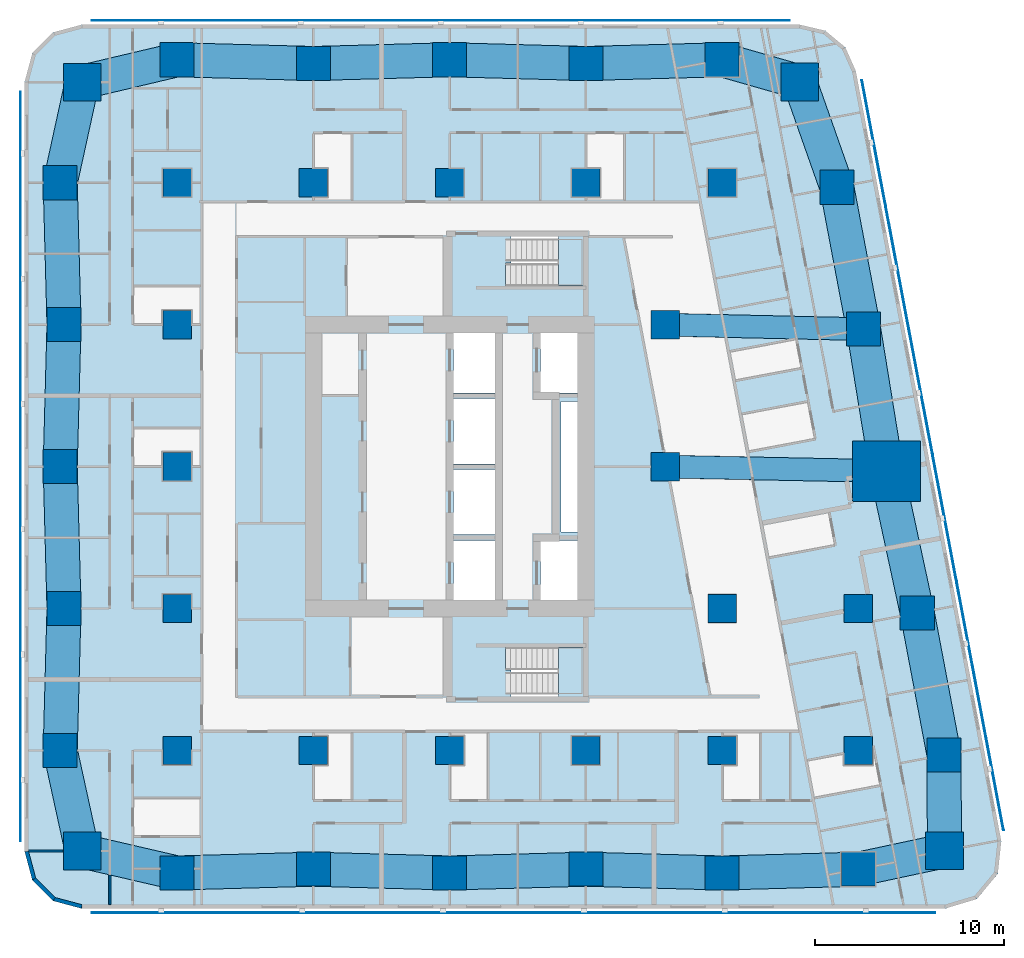
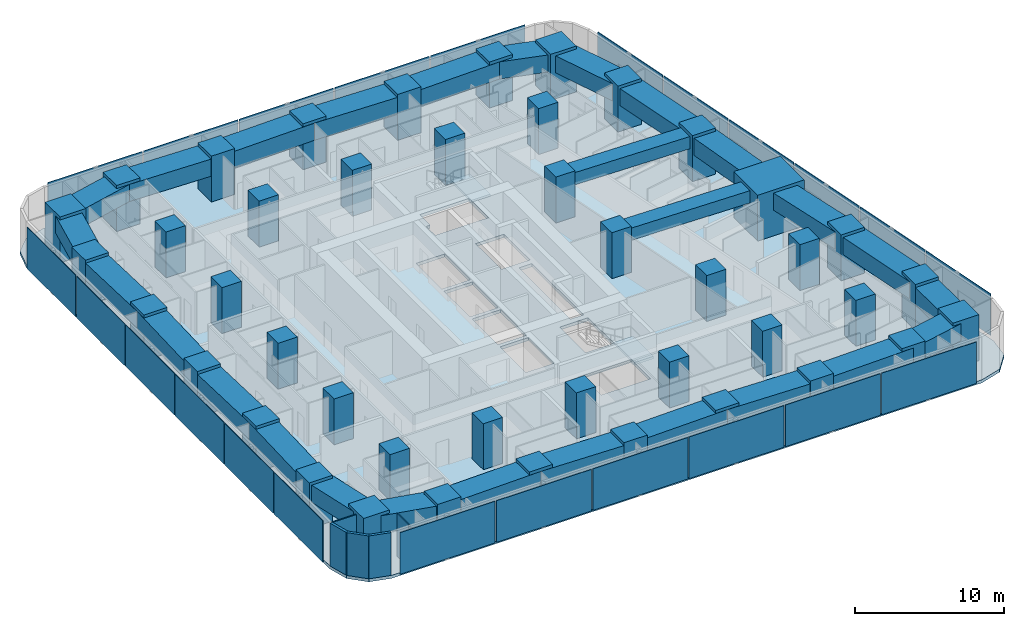
# One storey, part 1 of 15: 43 columns, 27 beams, 23 plates, 5 walls, 3 slabs, 2 elements without a shape of their own.
"""IFC4 building model written with IfcOpenShell, lengths in metres."""

from ifc_helpers import new_model, si_unit, direction, frame, frame_2d, origin, origin_2d, place, context, subcontext, project, spatial, polyline, rectangle, outline, extrude, material, layer, layer_set, material_profile, profile_set, type_object, element, aggregate, save


model = new_model("IFC4")

# Units and contexts
model_context = context("Model", 3, precision=1e-05, world=origin(), true_north=direction((0.0, 1.0)))
body_context = subcontext(model_context, "Body", "Model", "MODEL_VIEW")
ifc_project = project(units=[si_unit("LENGTHUNIT", "METRE"), si_unit("AREAUNIT", "SQUARE_METRE"), si_unit("VOLUMEUNIT", "CUBIC_METRE"), si_unit("PLANEANGLEUNIT", "RADIAN"), si_unit("MASSUNIT", "GRAM", prefix="KILO")], contexts=[model_context])

# Site, building, storey
site_placement = place(None, origin())
site = spatial("IfcSite", under=ifc_project, at=site_placement, CompositionType="ELEMENT")
building_placement = place(site_placement, origin())
building = spatial("IfcBuilding", under=site, at=building_placement, Name="Sheger Commons Tower", CompositionType="ELEMENT")
storey_placement = place(building_placement, frame((0.0, 0.0, 165.800048828125)))
storey = spatial("IfcBuildingStorey", under=building, at=storey_placement, Name="L42", CompositionType="ELEMENT", Elevation=165.800048828125)

# Columns
ifc_material_1 = material(Name="Concrete C50/60", Category="concrete")
ifc_material_profile_1 = material_profile(ifc_material_1, rectangle(XDim=3.60009765625, YDim=3.199951171875, at=origin_2d()), Name="RC 3600x3200")
ifc_profile_set_1 = profile_set([ifc_material_profile_1], Name="Concrete C50/60")
column_type_1 = type_object("IfcColumnType", Name="COLUMN PIER RC 3600x3200", PredefinedType="COLUMN", material=ifc_profile_set_1)
column_placement = place(storey_placement, frame((44.697021484375, 22.262939453125, 0.0), z_axis=(0.0, 0.0, 1.0), x_axis=(1.0, 0.0, 0.0)))
element("IfcColumn", 1, at=column_placement, inside=storey, type_object=column_type_1, Name="Pier 7/D+E/D L42", PredefinedType="COLUMN", context=body_context, shape_type="SweptSolid", body=[
    extrude(rectangle(XDim=3.60009765625, YDim=3.199951171875, at=origin_2d()), origin(), (0.0, 0.0, 1.0), 3.75),
])
ifc_material_2 = material(Name="Concrete C50/60", Category="concrete")
ifc_material_profile_2 = material_profile(ifc_material_2, rectangle(XDim=1.5, YDim=1.5, at=origin_2d()), Name="RC 1500x1500")
ifc_profile_set_2 = profile_set([ifc_material_profile_2], Name="Concrete C50/60")
column_type_2 = type_object("IfcColumnType", Name="COLUMN RC 1500x1500", PredefinedType="COLUMN", material=ifc_profile_set_2)
for number, where, z_axis, x_axis, name in (
    (2, (7.199951171875, 7.5, 0.0), (0.0, 0.0, 1.0), (1.0, 0.0, 0.0), "Column 2/B L42"),
    (3, (14.39990234375, 7.5, 0.0), (0.0, 0.0, 1.0), (1.0, 0.0, 0.0), "Column 3/B L42"),
    (4, (21.60009765625, 7.5, 0.0), (0.0, 0.0, 1.0), (1.0, 0.0, 0.0), "Column 4/B L42"),
    (5, (28.800048828125, 7.5, 0.0), (0.0, 0.0, 1.0), (1.0, 0.0, 0.0), "Column 5/B L42"),
    (6, (36.0, 7.5, 0.0), (0.0, 0.0, 1.0), (1.0, 0.0, 0.0), "Column 6/B L42"),
    (7, (43.199951171875, 7.5, 0.0), (0.0, 0.0, 1.0), (1.0, 0.0, 0.0), "Column 7/B L42"),
    (8, (7.199951171875, 15.0, 0.0), (0.0, 0.0, 1.0), (1.0, 0.0, 0.0), "Column 2/C L42"),
    (9, (36.0, 15.0, 0.0), (0.0, 0.0, 1.0), (1.0, 0.0, 0.0), "Column 6/C L42"),
    (10, (43.199951171875, 15.0, 0.0), (0.0, 0.0, 1.0), (1.0, 0.0, 0.0), "Column 7/C L42"),
    (11, (7.199951171875, 22.5, 0.0), (0.0, 0.0, 1.0), (1.0, 0.0, 0.0), "Column 2/D L42"),
    (12, (33.0, 22.5, 0.0), (0.0, 0.0, 1.0), (1.0, 0.0, 0.0), "Column 6-3000/D L42"),
    (13, (7.199951171875, 30.0, 0.0), (0.0, 0.0, 1.0), (1.0, 0.0, 0.0), "Column 2/E L42"),
    (14, (33.0, 30.0, 0.0), (0.0, 0.0, 1.0), (1.0, 0.0, 0.0), "Column 6-3000/E L42"),
    (15, (7.199951171875, 37.5, 0.0), (0.0, 0.0, 1.0), (1.0, 0.0, 0.0), "Column 2/F L42"),
    (16, (14.39990234375, 37.5, 0.0), (0.0, 0.0, 1.0), (1.0, 0.0, 0.0), "Column 3/F L42"),
    (17, (21.60009765625, 37.5, 0.0), (0.0, 0.0, 1.0), (1.0, 0.0, 0.0), "Column 4/F L42"),
    (18, (28.800048828125, 37.5, 0.0), (0.0, 0.0, 1.0), (1.0, 0.0, 0.0), "Column 5/F L42"),
    (19, (36.0, 37.5, 0.0), (0.0, 0.0, 1.0), (1.0, 0.0, 0.0), "Column 6/F L42"),
):
    element("IfcColumn", number, at=place(storey_placement, frame(where, z_axis=z_axis, x_axis=x_axis)), inside=storey, type_object=column_type_2, Name=name, PredefinedType="COLUMN", context=body_context, shape_type="SweptSolid", body=[
        extrude(rectangle(XDim=1.5, YDim=1.5, at=origin_2d()), origin(), (0.0, 0.0, 1.0), 3.75),
    ])
ifc_material_3 = material(Name="Concrete C50/60", Category="concrete")
ifc_material_profile_3 = material_profile(ifc_material_3, rectangle(XDim=1.800048828125, YDim=1.800048828125, at=origin_2d()), Name="RC 1800x1800")
ifc_profile_set_3 = profile_set([ifc_material_profile_3], Name="Concrete C50/60")
column_type_3 = type_object("IfcColumnType", Name="COLUMN RC 1800x1800", PredefinedType="COLUMN", material=ifc_profile_set_3)
for number, where, z_axis, x_axis, name in (
    (20, (7.199951171875, 1.02490234375, 0.0), (0.0, 0.0, 1.0), (1.0, 0.0, 0.0), "Column 2/A L42"),
    (21, (14.39990234375, 1.22509765625, 0.0), (0.0, 0.0, 1.0), (1.0, 0.0, 0.0), "Column 3/A L42"),
    (22, (21.60009765625, 1.02490234375, 0.0), (0.0, 0.0, 1.0), (1.0, 0.0, 0.0), "Column 4/A L42"),
    (23, (28.800048828125, 1.22509765625, 0.0), (0.0, 0.0, 1.0), (1.0, 0.0, 0.0), "Column 5/A L42"),
    (24, (36.0, 1.02490234375, 0.0), (0.0, 0.0, 1.0), (1.0, 0.0, 0.0), "Column 6/A L42"),
    (25, (43.199951171875, 1.22509765625, 0.0), (0.0, 0.0, 1.0), (1.0, 0.0, 0.0), "Column 7/A L42"),
    (26, (1.02490234375, 7.5, 0.0), (0.0, 0.0, 1.0), (1.0, 0.0, 0.0), "Column 1/B L42"),
    (27, (47.72998046875, 7.262939453125, 0.0), (0.0, 0.0, 1.0), (1.0, 0.0, 0.0), "Column E/B L42"),
    (28, (1.22509765625, 15.0, 0.0), (0.0, 0.0, 1.0), (1.0, 0.0, 0.0), "Column 1/C L42"),
    (29, (46.31396484375, 14.762939453125, 0.0), (0.0, 0.0, 1.0), (1.0, 0.0, 0.0), "Column E/C L42"),
    (30, (1.02490234375, 22.5, 0.0), (0.0, 0.0, 1.0), (1.0, 0.0, 0.0), "Column 1/D L42"),
    (31, (1.22509765625, 30.0, 0.0), (0.0, 0.0, 1.0), (1.0, 0.0, 0.0), "Column 1/E L42"),
    (32, (43.47998046875, 29.762939453125, 0.0), (0.0, 0.0, 1.0), (1.0, 0.0, 0.0), "Column E/E L42"),
    (33, (1.02490234375, 37.5, 0.0), (0.0, 0.0, 1.0), (1.0, 0.0, 0.0), "Column 1/F L42"),
    (34, (42.06396484375, 37.262939453125, 0.0), (0.0, 0.0, 1.0), (1.0, 0.0, 0.0), "Column E/F L42"),
    (35, (7.199951171875, 44.0, 0.0), (0.0, 0.0, 1.0), (1.0, 0.0, 0.0), "Column 2/G L42"),
    (36, (14.39990234375, 43.800048828125, 0.0), (0.0, 0.0, 1.0), (1.0, 0.0, 0.0), "Column 3/G L42"),
    (37, (21.60009765625, 44.0, 0.0), (0.0, 0.0, 1.0), (1.0, 0.0, 0.0), "Column 4/G L42"),
    (38, (28.800048828125, 43.800048828125, 0.0), (0.0, 0.0, 1.0), (1.0, 0.0, 0.0), "Column 5/G L42"),
    (39, (36.0, 44.0, 0.0), (0.0, 0.0, 1.0), (1.0, 0.0, 0.0), "Column 6/G L42"),
):
    element("IfcColumn", number, at=place(storey_placement, frame(where, z_axis=z_axis, x_axis=x_axis)), inside=storey, type_object=column_type_3, Name=name, PredefinedType="COLUMN", context=body_context, shape_type="SweptSolid", body=[
        extrude(rectangle(XDim=1.800048828125, YDim=1.800048828125, at=origin_2d()), origin(), (0.0, 0.0, 1.0), 3.75),
    ])
ifc_material_4 = material(Name="Concrete C50/60", Category="concrete")
ifc_material_profile_4 = material_profile(ifc_material_4, rectangle(XDim=2.0, YDim=2.0, at=origin_2d()), Name="RC 2000x2000")
ifc_profile_set_4 = profile_set([ifc_material_profile_4], Name="Concrete C50/60")
column_type_4 = type_object("IfcColumnType", Name="COLUMN RC 2000x2000", PredefinedType="COLUMN", material=ifc_profile_set_4)
for number, where, z_axis, x_axis, name in (
    (40, (2.18603515625, 2.18603515625, 0.0), (0.0, 0.0, 1.0), (1.0, 0.0, 0.0), "Column 0.630,0.630 L42"),
    (41, (47.748046875, 2.197021484375, 0.0), (0.0, 0.0, 1.0), (1.0, 0.0, 0.0), "Column 49.461,0.778 L42"),
    (42, (2.18603515625, 42.81396484375, 0.0), (0.0, 0.0, 1.0), (1.0, 0.0, 0.0), "Column 0.630,44.370 L42"),
    (43, (40.10205078125, 42.830078125, 0.0), (0.0, 0.0, 1.0), (1.0, 0.0, 0.0), "Column 41.490,44.505 L42"),
):
    element("IfcColumn", number, at=place(storey_placement, frame(where, z_axis=z_axis, x_axis=x_axis)), inside=storey, type_object=column_type_4, Name=name, PredefinedType="COLUMN", context=body_context, shape_type="SweptSolid", body=[
        extrude(rectangle(XDim=2.0, YDim=2.0, at=origin_2d()), origin(), (0.0, 0.0, 1.0), 3.75),
    ])

# Beams
ifc_material_5 = material(Name="Concrete C50/60", Category="concrete")
ifc_material_profile_5 = material_profile(ifc_material_5, rectangle(XDim=1.199951171875, YDim=1.0, at=origin_2d()), Name="RC 1200x1000")
ifc_profile_set_5 = profile_set([ifc_material_profile_5], Name="Concrete C50/60")
beam_type_1 = type_object("IfcBeamType", Name="BEAM RC 1200x1000", PredefinedType="BEAM", material=ifc_profile_set_5)
beam_1_placement = place(storey_placement, frame((33.0, 22.5, 3.0), z_axis=(0.999794692776, -0.02026258368, 0.0), x_axis=(0.02026258368, 0.999794692776, 0.0)))
element("IfcBeam", 44, at=beam_1_placement, inside=storey, type_object=beam_type_1, Name="Beam 6-3000/D-7/D under L43", PredefinedType="BEAM", context=body_context, shape_type="SweptSolid", body=[
    extrude(rectangle(XDim=1.199951171875, YDim=1.0, at=origin_2d()), origin(), (0.0, 0.0, 1.0), 11.699462890625),
])
beam_2_placement = place(storey_placement, frame((33.0, 30.0, 3.0), z_axis=(0.999744258625, -0.022614538395, 0.0), x_axis=(0.022614538395, 0.999744258625, 0.0)))
element("IfcBeam", 45, at=beam_2_placement, inside=storey, type_object=beam_type_1, Name="Beam 6-3000/E-E/E under L43", PredefinedType="BEAM", context=body_context, shape_type="SweptSolid", body=[
    extrude(rectangle(XDim=1.199951171875, YDim=1.0, at=origin_2d()), origin(), (0.0, 0.0, 1.0), 10.482666015625),
])
ifc_material_6 = material(Name="Concrete C50/60", Category="concrete")
ifc_material_profile_6 = material_profile(ifc_material_6, rectangle(XDim=1.800048828125, YDim=1.39990234375, at=origin_2d()), Name="RC 1800x1400")
ifc_profile_set_6 = profile_set([ifc_material_profile_6], Name="Concrete C50/60")
beam_type_2 = type_object("IfcBeamType", Name="SPANDREL RC 1800x1400", PredefinedType="SPANDREL", material=ifc_profile_set_6)
beam_3_placement = place(storey_placement, frame((2.18603515625, 2.18603515625, 2.800048828125), z_axis=(0.974217413499, -0.225611239159, 0.0), x_axis=(0.225611239159, 0.974217413499, 0.0)))
element("IfcBeam", 46, at=beam_3_placement, inside=storey, type_object=beam_type_2, Name="Beam 0.630,0.630-2/A under L43", PredefinedType="SPANDREL", context=body_context, shape_type="SweptSolid", body=[
    extrude(rectangle(XDim=1.800048828125, YDim=1.39990234375, at=origin_2d()), origin(), (0.0, 0.0, 1.0), 5.146728515625),
])
beam_4_placement = place(storey_placement, frame((7.199951171875, 1.02490234375, 2.800048828125), z_axis=(0.9996136624, 0.027794350926, 0.0), x_axis=(-0.027794350926, 0.9996136624, 0.0)))
element("IfcBeam", 47, at=beam_4_placement, inside=storey, type_object=beam_type_2, Name="Beam 2/A-3/A under L43", PredefinedType="SPANDREL", context=body_context, shape_type="SweptSolid", body=[
    extrude(rectangle(XDim=1.800048828125, YDim=1.39990234375, at=origin_2d()), origin(), (0.0, 0.0, 1.0), 7.20263671875),
])
beam_5_placement = place(storey_placement, frame((14.39990234375, 1.22509765625, 2.800048828125), z_axis=(0.999613688584, -0.027793409217, 0.0), x_axis=(0.027793409217, 0.999613688584, 0.0)))
element("IfcBeam", 48, at=beam_5_placement, inside=storey, type_object=beam_type_2, Name="Beam 3/A-4/A under L43", PredefinedType="SPANDREL", context=body_context, shape_type="SweptSolid", body=[
    extrude(rectangle(XDim=1.800048828125, YDim=1.39990234375, at=origin_2d()), origin(), (0.0, 0.0, 1.0), 7.202880859375),
])
for number, where, z_axis, x_axis, name in (
    (49, (21.60009765625, 1.02490234375, 2.800048828125), (0.9996136624, 0.027794350926, 0.0), (-0.027794350926, 0.9996136624, 0.0), "Beam 4/A-5/A under L43"),
    (50, (28.800048828125, 1.22509765625, 2.800048828125), (0.9996136624, -0.027794350926, 0.0), (0.027794350926, 0.9996136624, 0.0), "Beam 5/A-6/A under L43"),
    (51, (36.0, 1.02490234375, 2.800048828125), (0.9996136624, 0.027794350926, 0.0), (-0.027794350926, 0.9996136624, 0.0), "Beam 6/A-7/A under L43"),
):
    element("IfcBeam", number, at=place(storey_placement, frame(where, z_axis=z_axis, x_axis=x_axis)), inside=storey, type_object=beam_type_2, Name=name, PredefinedType="SPANDREL", context=body_context, shape_type="SweptSolid", body=[
        extrude(rectangle(XDim=1.800048828125, YDim=1.39990234375, at=origin_2d()), origin(), (0.0, 0.0, 1.0), 7.20263671875),
    ])
beam_6_placement = place(storey_placement, frame((43.199951171875, 1.22509765625, 2.800048828125), z_axis=(0.977919796671, 0.208980552394, 0.0), x_axis=(-0.208980552394, 0.977919796671, 0.0)))
element("IfcBeam", 52, at=beam_6_placement, inside=storey, type_object=beam_type_2, Name="Beam 7/A-49.461,0.778 under L43", PredefinedType="SPANDREL", context=body_context, shape_type="SweptSolid", body=[
    extrude(rectangle(XDim=1.800048828125, YDim=1.39990234375, at=origin_2d()), origin(), (0.0, 0.0, 1.0), 4.65087890625),
])
beam_7_placement = place(storey_placement, frame((47.748046875, 2.197021484375, 2.800048828125), z_axis=(-0.003566242382, 0.999993640937, 0.0), x_axis=(-0.999993640937, -0.003566242382, 0.0)))
element("IfcBeam", 53, at=beam_7_placement, inside=storey, type_object=beam_type_2, Name="Beam 49.461,0.778-E/B under L43", PredefinedType="SPANDREL", context=body_context, shape_type="SweptSolid", body=[
    extrude(rectangle(XDim=1.800048828125, YDim=1.39990234375, at=origin_2d()), origin(), (0.0, 0.0, 1.0), 5.06591796875),
])
beam_8_placement = place(storey_placement, frame((47.72998046875, 7.262939453125, 2.800048828125), z_axis=(-0.18552441405, 0.982639655108, 0.0), x_axis=(-0.982639655108, -0.18552441405, 0.0)))
element("IfcBeam", 54, at=beam_8_placement, inside=storey, type_object=beam_type_2, Name="Beam E/B-E/C under L43", PredefinedType="SPANDREL", context=body_context, shape_type="SweptSolid", body=[
    extrude(rectangle(XDim=1.800048828125, YDim=1.39990234375, at=origin_2d()), origin(), (0.0, 0.0, 1.0), 7.632568359375),
])
beam_9_placement = place(storey_placement, frame((46.31396484375, 14.762939453125, 2.800048828125), z_axis=(-0.210750229323, 0.977539943348, 0.0), x_axis=(-0.977539943348, -0.210750229323, 0.0)))
element("IfcBeam", 55, at=beam_9_placement, inside=storey, type_object=beam_type_2, Name="Beam E/C-E/D under L43", PredefinedType="SPANDREL", context=body_context, shape_type="SweptSolid", body=[
    extrude(rectangle(XDim=1.800048828125, YDim=1.39990234375, at=origin_2d()), origin(), (0.0, 0.0, 1.0), 7.67236328125),
])
beam_10_placement = place(storey_placement, frame((44.697021484375, 22.262939453125, 2.800048828125), z_axis=(-0.160176929512, 0.987088319884, 0.0), x_axis=(-0.987088319884, -0.160176929512, 0.0)))
element("IfcBeam", 56, at=beam_10_placement, inside=storey, type_object=beam_type_2, Name="Beam E/D-E/E under L43", PredefinedType="SPANDREL", context=body_context, shape_type="SweptSolid", body=[
    extrude(rectangle(XDim=1.800048828125, YDim=1.39990234375, at=origin_2d()), origin(), (0.0, 0.0, 1.0), 7.59814453125),
])
beam_11_placement = place(storey_placement, frame((43.47998046875, 29.762939453125, 2.800048828125), z_axis=(-0.18552441405, 0.982639655108, 0.0), x_axis=(-0.982639655108, -0.18552441405, 0.0)))
element("IfcBeam", 57, at=beam_11_placement, inside=storey, type_object=beam_type_2, Name="Beam E/E-E/F under L43", PredefinedType="SPANDREL", context=body_context, shape_type="SweptSolid", body=[
    extrude(rectangle(XDim=1.800048828125, YDim=1.39990234375, at=origin_2d()), origin(), (0.0, 0.0, 1.0), 7.632568359375),
])
beam_12_placement = place(storey_placement, frame((42.06396484375, 37.262939453125, 2.800048828125), z_axis=(-0.332374403357, 0.943147526102, 0.0), x_axis=(-0.943147526102, -0.332374403357, 0.0)))
element("IfcBeam", 58, at=beam_12_placement, inside=storey, type_object=beam_type_2, Name="Beam E/F-41.490,44.505 under L43", PredefinedType="SPANDREL", context=body_context, shape_type="SweptSolid", body=[
    extrude(rectangle(XDim=1.800048828125, YDim=1.39990234375, at=origin_2d()), origin(), (0.0, 0.0, 1.0), 5.90283203125),
])
beam_13_placement = place(storey_placement, frame((40.10205078125, 42.830078125, 2.800048828125), z_axis=(-0.961653428129, 0.274267541221, 0.0), x_axis=(-0.274267541221, -0.961653428129, 0.0)))
element("IfcBeam", 59, at=beam_13_placement, inside=storey, type_object=beam_type_2, Name="Beam 41.490,44.505-6/G under L43", PredefinedType="SPANDREL", context=body_context, shape_type="SweptSolid", body=[
    extrude(rectangle(XDim=1.800048828125, YDim=1.39990234375, at=origin_2d()), origin(), (0.0, 0.0, 1.0), 4.265625),
])
for number, where, z_axis, x_axis, name in (
    (60, (36.0, 44.0, 2.800048828125), (-0.999614603568, -0.027760481514, 0.0), (0.027760481514, -0.999614603568, 0.0), "Beam 6/G-5/G under L43"),
    (61, (28.800048828125, 43.800048828125, 2.800048828125), (-0.999614603568, 0.027760481514, 0.0), (-0.027760481514, -0.999614603568, 0.0), "Beam 5/G-4/G under L43"),
):
    element("IfcBeam", number, at=place(storey_placement, frame(where, z_axis=z_axis, x_axis=x_axis)), inside=storey, type_object=beam_type_2, Name=name, PredefinedType="SPANDREL", context=body_context, shape_type="SweptSolid", body=[
        extrude(rectangle(XDim=1.800048828125, YDim=1.39990234375, at=origin_2d()), origin(), (0.0, 0.0, 1.0), 7.20263671875),
    ])
beam_14_placement = place(storey_placement, frame((21.60009765625, 44.0, 2.800048828125), z_axis=(-0.999614629688, -0.027759540951, 0.0), x_axis=(0.027759540951, -0.999614629688, 0.0)))
element("IfcBeam", 62, at=beam_14_placement, inside=storey, type_object=beam_type_2, Name="Beam 4/G-3/G under L43", PredefinedType="SPANDREL", context=body_context, shape_type="SweptSolid", body=[
    extrude(rectangle(XDim=1.800048828125, YDim=1.39990234375, at=origin_2d()), origin(), (0.0, 0.0, 1.0), 7.202880859375),
])
beam_15_placement = place(storey_placement, frame((14.39990234375, 43.800048828125, 2.800048828125), z_axis=(-0.999614603568, 0.027760481514, 0.0), x_axis=(-0.027760481514, -0.999614603568, 0.0)))
element("IfcBeam", 63, at=beam_15_placement, inside=storey, type_object=beam_type_2, Name="Beam 3/G-2/G under L43", PredefinedType="SPANDREL", context=body_context, shape_type="SweptSolid", body=[
    extrude(rectangle(XDim=1.800048828125, YDim=1.39990234375, at=origin_2d()), origin(), (0.0, 0.0, 1.0), 7.20263671875),
])
beam_16_placement = place(storey_placement, frame((7.199951171875, 44.0, 2.800048828125), z_axis=(-0.97314428949, -0.230195985701, 0.0), x_axis=(0.230195985701, -0.97314428949, 0.0)))
element("IfcBeam", 64, at=beam_16_placement, inside=storey, type_object=beam_type_2, Name="Beam 2/G-0.630,44.370 under L43", PredefinedType="SPANDREL", context=body_context, shape_type="SweptSolid", body=[
    extrude(rectangle(XDim=1.800048828125, YDim=1.39990234375, at=origin_2d()), origin(), (0.0, 0.0, 1.0), 5.15234375),
])
beam_17_placement = place(storey_placement, frame((2.18603515625, 42.81396484375, 2.800048828125), z_axis=(-0.213469314652, -0.976949769283, 0.0), x_axis=(0.976949769283, -0.213469314652, 0.0)))
element("IfcBeam", 65, at=beam_17_placement, inside=storey, type_object=beam_type_2, Name="Beam 0.630,44.370-1/F under L43", PredefinedType="SPANDREL", context=body_context, shape_type="SweptSolid", body=[
    extrude(rectangle(XDim=1.800048828125, YDim=1.39990234375, at=origin_2d()), origin(), (0.0, 0.0, 1.0), 5.439453125),
])
for number, where, z_axis, x_axis, name in (
    (66, (1.02490234375, 37.5, 2.800048828125), (0.026683204125, -0.999643939919, 0.0), (0.999643939919, 0.026683204125, 0.0), "Beam 1/F-1/E under L43"),
    (67, (1.22509765625, 30.0, 2.800048828125), (-0.026683204125, -0.999643939919, 0.0), (0.999643939919, -0.026683204125, 0.0), "Beam 1/E-1/D under L43"),
    (68, (1.02490234375, 22.5, 2.800048828125), (0.026683204125, -0.999643939919, 0.0), (0.999643939919, 0.026683204125, 0.0), "Beam 1/D-1/C under L43"),
    (69, (1.22509765625, 15.0, 2.800048828125), (-0.026683204125, -0.999643939919, 0.0), (0.999643939919, -0.026683204125, 0.0), "Beam 1/C-1/B under L43"),
):
    element("IfcBeam", number, at=place(storey_placement, frame(where, z_axis=z_axis, x_axis=x_axis)), inside=storey, type_object=beam_type_2, Name=name, PredefinedType="SPANDREL", context=body_context, shape_type="SweptSolid", body=[
        extrude(rectangle(XDim=1.800048828125, YDim=1.39990234375, at=origin_2d()), origin(), (0.0, 0.0, 1.0), 7.502685546875),
    ])
beam_18_placement = place(storey_placement, frame((1.02490234375, 7.5, 2.800048828125), z_axis=(0.213469314652, -0.976949769283, 0.0), x_axis=(0.976949769283, 0.213469314652, 0.0)))
element("IfcBeam", 70, at=beam_18_placement, inside=storey, type_object=beam_type_2, Name="Beam 1/B-0.630,0.630 under L43", PredefinedType="SPANDREL", context=body_context, shape_type="SweptSolid", body=[
    extrude(rectangle(XDim=1.800048828125, YDim=1.39990234375, at=origin_2d()), origin(), (0.0, 0.0, 1.0), 5.439453125),
])

# Slab
ifc_material_7 = material(Name="Concrete C35/45", Category="concrete")
ifc_layer_1 = layer(ifc_material_7, 0.25)
ifc_layer_set_1 = layer_set([ifc_layer_1], Name="SLAB FLOOR 250")
slab_type_1 = type_object("IfcSlabType", Name="SLAB FLOOR 250", PredefinedType="FLOOR", material=ifc_layer_set_1)
slab_1_placement = place(storey_placement, frame((0.0, 0.0, -0.25)))
element("IfcSlab", 71, at=slab_1_placement, inside=storey, type_object=slab_type_1, Name="L42 floor slab", PredefinedType="FLOOR", context=body_context, shape_type="SweptSolid", body=[
    extrude(outline(polyline([(-0.85009765625, 2.14990234375), (-0.447998046875, 0.64990234375), (0.64990234375, -0.447998046875), (2.14990234375, -0.85009765625), (47.805908203125, -0.85009765625), (49.465087890625, -0.35009765625), (50.570068359375, 0.98388671875), (50.75390625, 2.70703125), (43.06591796875, 43.406982421875), (42.509033203125, 44.660888671875), (41.452880859375, 45.535888671875), (40.117919921875, 45.85009765625), (2.14990234375, 45.85009765625), (0.64990234375, 45.447998046875), (-0.447998046875, 44.35009765625), (-0.85009765625, 42.85009765625), (-0.85009765625, 2.14990234375)]), holes=[polyline([(24.85009765625, 10.35009765625), (28.64990234375, 10.35009765625), (28.64990234375, 12.949951171875), (24.551025390625, 12.949951171875), (24.551025390625, 11.75), (24.85009765625, 11.75), (24.85009765625, 10.35009765625)]), polyline([(24.551025390625, 32.050048828125), (28.64990234375, 32.050048828125), (28.64990234375, 34.64990234375), (24.85009765625, 34.64990234375), (24.85009765625, 33.25), (24.551025390625, 33.25), (24.551025390625, 32.050048828125)]), polyline([(26.39990234375, 15.14990234375), (28.60009765625, 15.14990234375), (28.60009765625, 18.60009765625), (26.39990234375, 18.60009765625), (26.39990234375, 15.14990234375)]), polyline([(26.39990234375, 26.39990234375), (28.60009765625, 26.39990234375), (28.60009765625, 29.85009765625), (26.39990234375, 29.85009765625), (26.39990234375, 26.39990234375)]), polyline([(21.800048828125, 15.14990234375), (24.0, 15.14990234375), (24.0, 18.60009765625), (21.800048828125, 18.60009765625), (21.800048828125, 15.14990234375)]), polyline([(21.800048828125, 18.89990234375), (24.0, 18.89990234375), (24.0, 22.35009765625), (21.800048828125, 22.35009765625), (21.800048828125, 18.89990234375)]), polyline([(21.800048828125, 22.64990234375), (24.0, 22.64990234375), (24.0, 26.10009765625), (21.800048828125, 26.10009765625), (21.800048828125, 22.64990234375)]), polyline([(21.800048828125, 26.39990234375), (24.0, 26.39990234375), (24.0, 29.85009765625), (21.800048828125, 29.85009765625), (21.800048828125, 26.39990234375)]), polyline([(27.5, 19.050048828125), (28.5, 19.050048828125), (28.5, 25.949951171875), (27.5, 25.949951171875), (27.5, 19.050048828125)])]), origin(), (0.0, 0.0, 1.0), 0.25),
])

# Plates
ifc_material_8 = material(Name="Perforated black anodised aluminium screen", Category="aluminium")
ifc_layer_2 = layer(ifc_material_8, 0.050048828125)
ifc_layer_set_2 = layer_set([ifc_layer_2], Name="SOLAR SCREEN SCREEN-1")
plate_type = type_object("IfcPlateType", Name="SOLAR SCREEN SCREEN-1", PredefinedType="USERDEFINED", material=ifc_layer_set_2)
for number, where, z_axis, x_axis, name in (
    (72, (6.37109375, -1.074951171875, 0.050048828125), (0.0, 0.0, 1.0), (1.0, 0.0, 0.0), "Perforated solar screen panel"),
    (73, (13.81396484375, -1.074951171875, 0.050048828125), (0.0, 0.0, 1.0), (1.0, 0.0, 0.0), "Perforated solar screen panel"),
    (74, (21.257080078125, -1.074951171875, 0.050048828125), (0.0, 0.0, 1.0), (1.0, 0.0, 0.0), "Perforated solar screen panel"),
    (75, (28.698974609375, -1.074951171875, 0.050048828125), (0.0, 0.0, 1.0), (1.0, 0.0, 0.0), "Perforated solar screen panel"),
    (76, (36.14208984375, -1.074951171875, 0.050048828125), (0.0, 0.0, 1.0), (1.0, 0.0, 0.0), "Perforated solar screen panel"),
    (77, (43.5849609375, -1.074951171875, 0.050048828125), (0.0, 0.0, 1.0), (1.0, 0.0, 0.0), "Perforated solar screen panel"),
):
    element("IfcPlate", number, at=place(storey_placement, frame(where, z_axis=z_axis, x_axis=x_axis)), inside=storey, type_object=plate_type, Name=name, ObjectType="SCREEN", PredefinedType="USERDEFINED", context=body_context, shape_type="SweptSolid", body=[
        extrude(rectangle(XDim=7.343017578125, YDim=0.050048828125, at=origin_2d()), origin(), (0.0, 0.0, 1.0), 3.39990234375),
    ])
for number, where, z_axis, x_axis, name in (
    (78, (50.257080078125, 6.550048828125, 0.050048828125), (0.0, 0.0, 1.0), (-0.185615165645, 0.982622516678, 0.0), "Perforated solar screen panel"),
    (79, (49.007080078125, 13.1689453125, 0.050048828125), (0.0, 0.0, 1.0), (-0.185615165645, 0.982622516678, 0.0), "Perforated solar screen panel"),
    (80, (47.756103515625, 19.7890625, 0.050048828125), (0.0, 0.0, 1.0), (-0.185615165645, 0.982622516678, 0.0), "Perforated solar screen panel"),
    (81, (46.506103515625, 26.408935546875, 0.050048828125), (0.0, 0.0, 1.0), (-0.185615165645, 0.982622516678, 0.0), "Perforated solar screen panel"),
    (82, (45.2548828125, 33.028076171875, 0.050048828125), (0.0, 0.0, 1.0), (-0.185615165645, 0.982622516678, 0.0), "Perforated solar screen panel"),
    (83, (44.0048828125, 39.64794921875, 0.050048828125), (0.0, 0.0, 1.0), (-0.185615165645, 0.982622516678, 0.0), "Perforated solar screen panel"),
):
    element("IfcPlate", number, at=place(storey_placement, frame(where, z_axis=z_axis, x_axis=x_axis)), inside=storey, type_object=plate_type, Name=name, ObjectType="SCREEN", PredefinedType="USERDEFINED", context=body_context, shape_type="SweptSolid", body=[
        extrude(rectangle(XDim=6.636962890625, YDim=0.050048828125, at=origin_2d()), origin(), (0.0, 0.0, 1.0), 3.39990234375),
    ])
for number, where, z_axis, x_axis, name in (
    (84, (35.9208984375, 46.074951171875, 0.050048828125), (0.0, 0.0, 1.0), (-1.0, 0.0, 0.0), "Perforated solar screen panel"),
    (85, (28.528076171875, 46.074951171875, 0.050048828125), (0.0, 0.0, 1.0), (-1.0, 0.0, 0.0), "Perforated solar screen panel"),
    (86, (21.134033203125, 46.074951171875, 0.050048828125), (0.0, 0.0, 1.0), (-1.0, 0.0, 0.0), "Perforated solar screen panel"),
    (87, (13.739990234375, 46.074951171875, 0.050048828125), (0.0, 0.0, 1.0), (-1.0, 0.0, 0.0), "Perforated solar screen panel"),
    (88, (6.346923828125, 46.074951171875, 0.050048828125), (0.0, 0.0, 1.0), (-1.0, 0.0, 0.0), "Perforated solar screen panel"),
):
    element("IfcPlate", number, at=place(storey_placement, frame(where, z_axis=z_axis, x_axis=x_axis)), inside=storey, type_object=plate_type, Name=name, ObjectType="SCREEN", PredefinedType="USERDEFINED", context=body_context, shape_type="SweptSolid", body=[
        extrude(rectangle(XDim=7.2939453125, YDim=0.050048828125, at=origin_2d()), origin(), (0.0, 0.0, 1.0), 3.39990234375),
    ])
for number, where, z_axis, x_axis, name in (
    (89, (-1.074951171875, 39.0419921875, 0.050048828125), (0.0, 0.0, 1.0), (0.0, -1.0, 0.0), "Perforated solar screen panel"),
    (90, (-1.074951171875, 32.425048828125, 0.050048828125), (0.0, 0.0, 1.0), (0.0, -1.0, 0.0), "Perforated solar screen panel"),
    (91, (-1.074951171875, 25.80810546875, 0.050048828125), (0.0, 0.0, 1.0), (0.0, -1.0, 0.0), "Perforated solar screen panel"),
    (92, (-1.074951171875, 19.19189453125, 0.050048828125), (0.0, 0.0, 1.0), (0.0, -1.0, 0.0), "Perforated solar screen panel"),
    (93, (-1.074951171875, 12.574951171875, 0.050048828125), (0.0, 0.0, 1.0), (0.0, -1.0, 0.0), "Perforated solar screen panel"),
    (94, (-1.074951171875, 5.9580078125, 0.050048828125), (0.0, 0.0, 1.0), (0.0, -1.0, 0.0), "Perforated solar screen panel"),
):
    element("IfcPlate", number, at=place(storey_placement, frame(where, z_axis=z_axis, x_axis=x_axis)), inside=storey, type_object=plate_type, Name=name, ObjectType="SCREEN", PredefinedType="USERDEFINED", context=body_context, shape_type="SweptSolid", body=[
        extrude(rectangle(XDim=6.51708984375, YDim=0.050048828125, at=origin_2d()), origin(), (0.0, 0.0, 1.0), 3.39990234375),
    ])

# Stair, slab
ifc_material_9 = material(Name="Concrete C35/45", Category="concrete")
stair_type = type_object("IfcStairType", Name="HALF-TURN STAIR 1200 RISE 3750", PredefinedType="HALF_TURN_STAIR", material=ifc_material_9)
stair_1_placement = place(storey_placement, origin())
stair_1 = element("IfcStair", 95, at=stair_1_placement, inside=storey, type_object=stair_type, Name="Stair S1 L42", PredefinedType="HALF_TURN_STAIR")
ifc_material_10 = material(Name="Concrete C35/45", Category="concrete")
ifc_layer_3 = layer(ifc_material_10, 0.199951171875)
ifc_layer_set_3 = layer_set([ifc_layer_3], Name="STAIR LANDING 200")
slab_type_2 = type_object("IfcSlabType", Name="STAIR LANDING 200", PredefinedType="LANDING", material=ifc_layer_set_3)
slab_2_placement = place(storey_placement, frame((0.0, 0.0, 1.675048828125)))
slab_2 = element("IfcSlab", 96, at=slab_2_placement, type_object=slab_type_2, Name="S1 landing 1", PredefinedType="LANDING", context=body_context, shape_type="SweptSolid", body=[
    extrude(outline(polyline([(27.35009765625, 10.199951171875), (28.800048828125, 10.199951171875), (28.800048828125, 12.949951171875), (27.35009765625, 12.949951171875), (27.35009765625, 10.199951171875)])), origin(), (0.0, 0.0, 1.0), 0.199951171875),
])
aggregate(stair_1, [slab_2])

stair_2_placement = place(storey_placement, origin())
stair_2 = element("IfcStair", 97, at=stair_2_placement, inside=storey, type_object=stair_type, Name="Stair S2 L42", PredefinedType="HALF_TURN_STAIR")
slab_3_placement = place(storey_placement, frame((0.0, 0.0, 1.675048828125)))
slab_3 = element("IfcSlab", 98, at=slab_3_placement, type_object=slab_type_2, Name="S2 landing 1", PredefinedType="LANDING", context=body_context, shape_type="SweptSolid", body=[
    extrude(outline(polyline([(27.35009765625, 32.050048828125), (28.800048828125, 32.050048828125), (28.800048828125, 34.800048828125), (27.35009765625, 34.800048828125), (27.35009765625, 32.050048828125)])), origin(), (0.0, 0.0, 1.0), 0.199951171875),
])
aggregate(stair_2, [slab_3])

# Walls
ifc_material_11 = material(Name="Rendered concrete block masonry, dark grey", Category="masonry")
ifc_layer_4 = layer(ifc_material_11, 0.199951171875)
ifc_layer_set_4 = layer_set([ifc_layer_4], Name="FACADE WALL 200")
wall_type_1 = type_object("IfcWallType", Name="FACADE WALL 200", PredefinedType="SOLIDWALL", material=ifc_layer_set_4)
wall_1_placement = place(storey_placement, frame((-0.75, 2.1630859375, 0.0), z_axis=(0.0, 0.0, 1.0), x_axis=(0.259168954497, -0.965832000415, 0.0)))
element("IfcWall", 99, at=wall_1_placement, inside=storey, type_object=wall_type_1, Name="Facade wall L42", PredefinedType="SOLIDWALL", context=body_context, shape_type="SweptSolid", body=[
    extrude(rectangle(XDim=1.512939453125, YDim=0.199951171875, at=frame_2d((0.75634765625, 0.0))), origin(), (0.0, 0.0, 1.0), 3.5),
])
wall_2_placement = place(storey_placement, frame((-0.35791015625, 0.701904296875, 0.0), z_axis=(0.0, 0.0, 1.0), x_axis=(0.707106781187, -0.707106781187, 0.0)))
element("IfcWall", 100, at=wall_2_placement, inside=storey, type_object=wall_type_1, Name="Facade wall L42", PredefinedType="SOLIDWALL", context=body_context, shape_type="SweptSolid", body=[
    extrude(rectangle(XDim=1.498779296875, YDim=0.199951171875, at=frame_2d((0.74951171875, 0.0))), origin(), (0.0, 0.0, 1.0), 3.5),
])
wall_3_placement = place(storey_placement, frame((0.701904296875, -0.35791015625, 0.0), z_axis=(0.0, 0.0, 1.0), x_axis=(0.965832000415, -0.259168954497, 0.0)))
element("IfcWall", 101, at=wall_3_placement, inside=storey, type_object=wall_type_1, Name="Facade wall L42", PredefinedType="SOLIDWALL", context=body_context, shape_type="SweptSolid", body=[
    extrude(rectangle(XDim=1.512939453125, YDim=0.199951171875, at=frame_2d((0.75634765625, 0.0))), origin(), (0.0, 0.0, 1.0), 3.5),
])
ifc_material_12 = material(Name="Gypsum board on steel studs", Category="steel")
ifc_layer_5 = layer(ifc_material_12, 0.10009765625)
ifc_layer_set_5 = layer_set([ifc_layer_5], Name="PARTITION 100")
wall_type_2 = type_object("IfcWallType", Name="PARTITION 100", PredefinedType="PARTITIONING", material=ifc_layer_set_5)
wall_4_placement = place(storey_placement, frame((3.64990234375, -0.64990234375, 0.0), z_axis=(0.0, 0.0, 1.0), x_axis=(0.0, 1.0, 0.0)))
element("IfcWall", 102, at=wall_4_placement, inside=storey, type_object=wall_type_2, Name="Partition L42", PredefinedType="PARTITIONING", context=body_context, shape_type="SweptSolid", body=[
    extrude(rectangle(XDim=1.56201171875, YDim=0.10009765625, at=frame_2d((0.781005859375, 0.0))), origin(), (0.0, 0.0, 1.0), 3.5),
])
wall_5_placement = place(storey_placement, frame((-0.64990234375, 2.18603515625, 0.0), z_axis=(0.0, 0.0, 1.0), x_axis=(1.0, 0.0, 0.0)))
element("IfcWall", 103, at=wall_5_placement, inside=storey, type_object=wall_type_2, Name="Partition L42", PredefinedType="PARTITIONING", context=body_context, shape_type="SweptSolid", body=[
    extrude(rectangle(XDim=1.8349609375, YDim=0.10009765625, at=frame_2d((0.91748046875, 0.0))), origin(), (0.0, 0.0, 1.0), 3.5),
])

save(model, "model.ifc")
